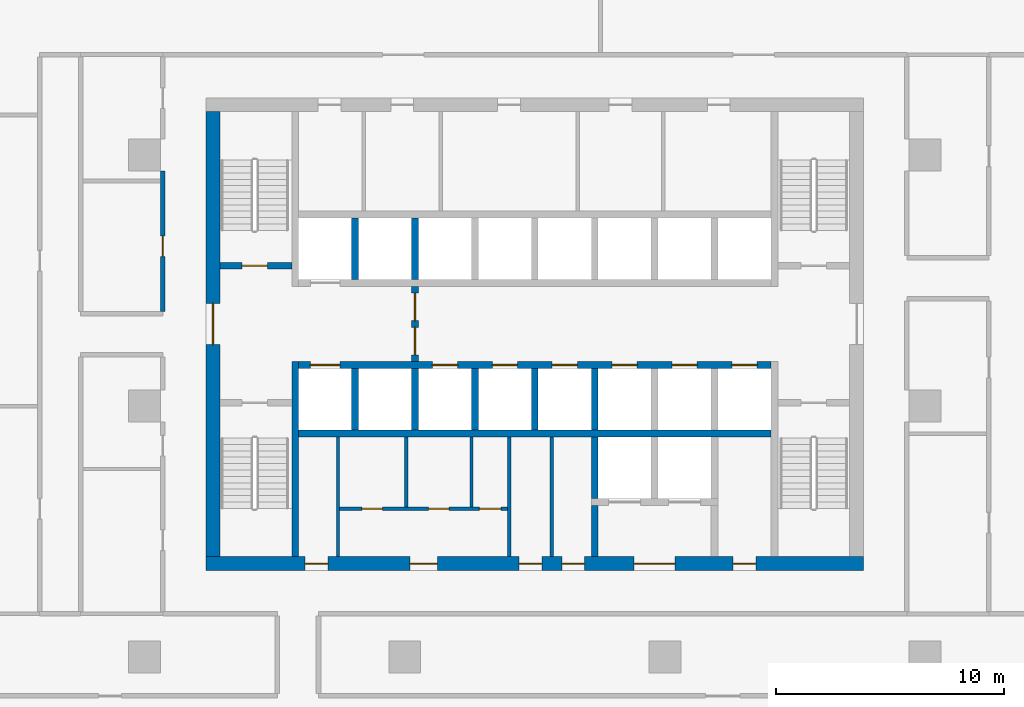
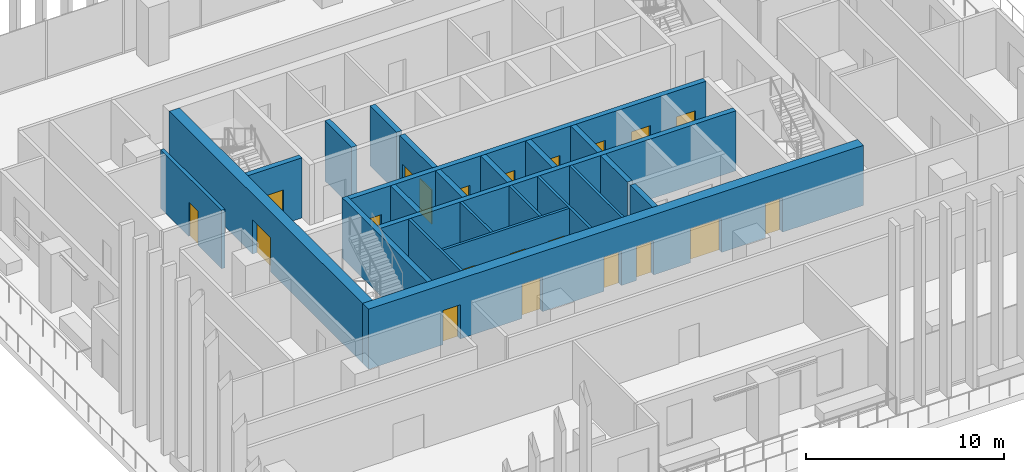
# One storey, part 8 of 16: 23 walls, 21 doors, 21 openings.
"""IFC4 building model written with IfcOpenShell, lengths in metres."""

from ifc_helpers import new_model, si_unit, direction, frame, frame_2d, origin, place, context, subcontext, project, spatial, rectangle, extrude, material, layer, layer_set, type_object, element, fill, save


model = new_model("IFC4")

# Units and contexts
model_context = context("Model", 3, precision=1e-05, world=origin(), true_north=direction((0.0, 1.0)))
body_context = subcontext(model_context, "Body", "Model", "MODEL_VIEW")
ifc_project = project(units=[si_unit("LENGTHUNIT", "METRE"), si_unit("AREAUNIT", "SQUARE_METRE"), si_unit("VOLUMEUNIT", "CUBIC_METRE"), si_unit("PLANEANGLEUNIT", "RADIAN"), si_unit("MASSUNIT", "GRAM", prefix="KILO")], contexts=[model_context])

# Site, building, storey
site_placement = place(None, origin())
site = spatial("IfcSite", under=ifc_project, at=site_placement, CompositionType="ELEMENT")
building_placement = place(site_placement, origin())
building = spatial("IfcBuilding", under=site, at=building_placement, Name="Mopane Tessera Tower", CompositionType="ELEMENT")
storey_placement = place(building_placement, frame((0.0, 0.0, 157.0)))
storey = spatial("IfcBuildingStorey", under=building, at=storey_placement, Name="L31", CompositionType="ELEMENT", Elevation=157.0)

# Wall
ifc_material_1 = material(Name="Fire-rated gypsum board partition")
ifc_layer_1 = layer(ifc_material_1, 0.14990234375)
ifc_layer_set_1 = layer_set([ifc_layer_1], Name="Fire-rated gypsum board partition")
wall_type_1 = type_object("IfcWallType", Name="Core room partition 150 mm", PredefinedType="PARTITIONING", material=ifc_layer_set_1)
wall_1_placement = place(storey_placement, frame((-8.625, -6.60009765625, 0.0), z_axis=(0.0, 0.0, 1.0), x_axis=(0.0, 1.0, 0.0)))
element("IfcWall", 1, at=wall_1_placement, inside=storey, type_object=wall_type_1, Name="L31 Room partition", PredefinedType="PARTITIONING", context=body_context, shape_type="SweptSolid", body=[
    extrude(rectangle(XDim=5.25, YDim=0.14990234375, at=frame_2d((2.625, 0.0))), origin(), (0.0, 0.0, 1.0), 3.699951171875),
])

# Wall, openings, doors
wall_2_placement = place(storey_placement, frame((-8.550048828125, -4.5, 0.0), z_axis=(0.0, 0.0, 1.0), x_axis=(1.0, 0.0, 0.0)))
wall_2 = element("IfcWall", 2, at=wall_2_placement, inside=storey, type_object=wall_type_1, Name="L31 WC partition", PredefinedType="PARTITIONING", context=body_context, shape_type="SweptSolid", body=[
    extrude(rectangle(XDim=7.35009765625, YDim=0.14990234375, at=frame_2d((3.675048828125, 0.0))), origin(), (0.0, 0.0, 1.0), 3.699951171875),
])
opening_1_placement = place(wall_2_placement, frame((0.97509765625, 0.0, 0.0)))
opening_1 = element("IfcOpeningElement", 3, at=opening_1_placement, cuts=wall_2, Name="Opening WD1", PredefinedType="OPENING", context=body_context, shape_type="SweptSolid", body=[
    extrude(rectangle(XDim=0.89990234375, YDim=2.10009765625, at=frame_2d((0.449951171875, 1.050048828125))), frame((0.0, 0.0869140625, 0.0), z_axis=(0.0, -1.0, 0.0), x_axis=(1.0, 0.0, 0.0)), (0.0, 0.0, 1.0), 0.173828125),
])
opening_2_placement = place(wall_2_placement, frame((3.89990234375, 0.0, 0.0)))
opening_2 = element("IfcOpeningElement", 4, at=opening_2_placement, cuts=wall_2, Name="Opening WD1", PredefinedType="OPENING", context=body_context, shape_type="SweptSolid", body=[
    extrude(rectangle(XDim=0.89990234375, YDim=2.10009765625, at=frame_2d((0.449951171875, 1.050048828125))), frame((0.0, 0.0869140625, 0.0), z_axis=(0.0, -1.0, 0.0), x_axis=(1.0, 0.0, 0.0)), (0.0, 0.0, 1.0), 0.173828125),
])
opening_3_placement = place(wall_2_placement, frame((6.125, 0.0, 0.0)))
opening_3 = element("IfcOpeningElement", 5, at=opening_3_placement, cuts=wall_2, Name="Opening WD2", PredefinedType="OPENING", context=body_context, shape_type="SweptSolid", body=[
    extrude(rectangle(XDim=0.949951171875, YDim=2.10009765625, at=frame_2d((0.47509765625, 1.050048828125))), frame((0.0, 0.0869140625, 0.0), z_axis=(0.0, -1.0, 0.0), x_axis=(1.0, 0.0, 0.0)), (0.0, 0.0, 1.0), 0.173828125),
])
ifc_material_2 = material(Name="Timber door", Category="wood")
door_type_1 = type_object("IfcDoorType", Name="Accessible WC door 950 x 2100", OperationType="SINGLE_SWING_LEFT", PredefinedType="DOOR", material=ifc_material_2)
door_1_placement = place(opening_3_placement, origin())
door_1 = element("IfcDoor", 6, at=door_1_placement, inside=storey, type_object=door_type_1, Name="L31 Accessible WC door", OperationType="SINGLE_SWING_LEFT", OverallHeight=2.10009765625, OverallWidth=0.949951171875, PredefinedType="DOOR", context=body_context, shape_type="SweptSolid", body=[
    extrude(rectangle(XDim=0.949951171875, YDim=2.10009765625, at=frame_2d((0.47509765625, 1.050048828125))), frame((0.0, 0.02490234375, 0.0), z_axis=(0.0, -1.0, 0.0), x_axis=(1.0, 0.0, 0.0)), (0.0, 0.0, 1.0), 0.050048828125),
])
fill(opening_3, door_1)
ifc_material_3 = material(Name="Timber door", Category="wood")
door_type_2 = type_object("IfcDoorType", Name="WC cubicle door 900 x 2100", OperationType="SINGLE_SWING_LEFT", PredefinedType="DOOR", material=ifc_material_3)
door_2_placement = place(opening_1_placement, origin())
door_2 = element("IfcDoor", 7, at=door_2_placement, inside=storey, type_object=door_type_2, Name="L31 Men's WC door", OperationType="SINGLE_SWING_LEFT", OverallHeight=2.10009765625, OverallWidth=0.89990234375, PredefinedType="DOOR", context=body_context, shape_type="SweptSolid", body=[
    extrude(rectangle(XDim=0.89990234375, YDim=2.10009765625, at=frame_2d((0.449951171875, 1.050048828125))), frame((0.0, 0.02490234375, 0.0), z_axis=(0.0, -1.0, 0.0), x_axis=(1.0, 0.0, 0.0)), (0.0, 0.0, 1.0), 0.050048828125),
])
fill(opening_1, door_2)
door_3_placement = place(opening_2_placement, origin())
door_3 = element("IfcDoor", 8, at=door_3_placement, inside=storey, type_object=door_type_2, Name="L31 Women's WC door", OperationType="SINGLE_SWING_LEFT", OverallHeight=2.10009765625, OverallWidth=0.89990234375, PredefinedType="DOOR", context=body_context, shape_type="SweptSolid", body=[
    extrude(rectangle(XDim=0.89990234375, YDim=2.10009765625, at=frame_2d((0.449951171875, 1.050048828125))), frame((0.0, 0.02490234375, 0.0), z_axis=(0.0, -1.0, 0.0), x_axis=(1.0, 0.0, 0.0)), (0.0, 0.0, 1.0), 0.050048828125),
])
fill(opening_2, door_3)

# Walls
for number, where, z_axis, x_axis, name in (
    (9, (-5.625, -4.425048828125, 0.0), (0.0, 0.0, 1.0), (0.0, 1.0, 0.0), "L31 WC partition"),
    (10, (-2.77490234375, -4.425048828125, 0.0), (0.0, 0.0, 1.0), (0.0, 1.0, 0.0), "L31 WC partition"),
):
    element("IfcWall", number, at=place(storey_placement, frame(where, z_axis=z_axis, x_axis=x_axis)), inside=storey, type_object=wall_type_1, Name=name, PredefinedType="PARTITIONING", context=body_context, shape_type="SweptSolid", body=[
        extrude(rectangle(XDim=3.074951171875, YDim=0.14990234375, at=frame_2d((1.53759765625, 0.0))), origin(), (0.0, 0.0, 1.0), 3.699951171875),
    ])
for number, where, z_axis, x_axis, name in (
    (11, (-1.125, -6.60009765625, 0.0), (0.0, 0.0, 1.0), (0.0, 1.0, 0.0), "L31 Room partition"),
    (12, (0.75, -6.60009765625, 0.0), (0.0, 0.0, 1.0), (0.0, 1.0, 0.0), "L31 Room partition"),
):
    element("IfcWall", number, at=place(storey_placement, frame(where, z_axis=z_axis, x_axis=x_axis)), inside=storey, type_object=wall_type_1, Name=name, PredefinedType="PARTITIONING", context=body_context, shape_type="SweptSolid", body=[
        extrude(rectangle(XDim=5.25, YDim=0.14990234375, at=frame_2d((2.625, 0.0))), origin(), (0.0, 0.0, 1.0), 3.699951171875),
    ])

# Wall, openings, doors
ifc_material_4 = material(Name="Concrete C70/85", Category="concrete")
ifc_layer_2 = layer(ifc_material_4, 0.60009765625)
ifc_layer_set_2 = layer_set([ifc_layer_2], Name="Concrete C70/85")
wall_type_2 = type_object("IfcWallType", Name="Core shear wall 600 mm", PredefinedType="SHEAR", material=ifc_layer_set_2)
wall_3_placement = place(storey_placement, frame((-14.39990234375, -6.89990234375, 0.0), z_axis=(0.0, 0.0, 1.0), x_axis=(1.0, 0.0, 0.0)))
wall_3 = element("IfcWall", 13, at=wall_3_placement, inside=storey, type_object=wall_type_2, Name="L31 Core wall south", PredefinedType="SHEAR", context=body_context, shape_type="SweptSolid", body=[
    extrude(rectangle(XDim=28.7998046875, YDim=0.60009765625, at=frame_2d((14.39990234375, 0.0))), origin(), (0.0, 0.0, 1.0), 3.699951171875),
])
opening_4_placement = place(wall_3_placement, frame((4.33740234375, 0.0, 0.0)))
opening_4 = element("IfcOpeningElement", 14, at=opening_4_placement, cuts=wall_3, Name="Opening RD1", PredefinedType="OPENING", context=body_context, shape_type="SweptSolid", body=[
    extrude(rectangle(XDim=1.0, YDim=2.10009765625, at=frame_2d((0.5, 1.050048828125))), frame((0.0, 0.31201171875, 0.0), z_axis=(0.0, -1.0, 0.0), x_axis=(1.0, 0.0, 0.0)), (0.0, 0.0, 1.0), 0.6240234375),
])
opening_5_placement = place(wall_3_placement, frame((8.925048828125, 0.0, 0.0)))
opening_5 = element("IfcOpeningElement", 15, at=opening_5_placement, cuts=wall_3, Name="Opening WD3", PredefinedType="OPENING", context=body_context, shape_type="SweptSolid", body=[
    extrude(rectangle(XDim=1.199951171875, YDim=2.10009765625, at=frame_2d((0.60009765625, 1.050048828125))), frame((0.0, 0.31201171875, 0.0), z_axis=(0.0, -1.0, 0.0), x_axis=(1.0, 0.0, 0.0)), (0.0, 0.0, 1.0), 0.6240234375),
])
opening_6_placement = place(wall_3_placement, frame((13.71240234375, 0.0, 0.0)))
opening_6 = element("IfcOpeningElement", 16, at=opening_6_placement, cuts=wall_3, Name="Opening RD1", PredefinedType="OPENING", context=body_context, shape_type="SweptSolid", body=[
    extrude(rectangle(XDim=1.0, YDim=2.10009765625, at=frame_2d((0.5, 1.050048828125))), frame((0.0, 0.31201171875, 0.0), z_axis=(0.0, -1.0, 0.0), x_axis=(1.0, 0.0, 0.0)), (0.0, 0.0, 1.0), 0.6240234375),
])
opening_7_placement = place(wall_3_placement, frame((15.58740234375, 0.0, 0.0)))
opening_7 = element("IfcOpeningElement", 17, at=opening_7_placement, cuts=wall_3, Name="Opening RD1", PredefinedType="OPENING", context=body_context, shape_type="SweptSolid", body=[
    extrude(rectangle(XDim=1.0, YDim=2.10009765625, at=frame_2d((0.5, 1.050048828125))), frame((0.0, 0.31201171875, 0.0), z_axis=(0.0, -1.0, 0.0), x_axis=(1.0, 0.0, 0.0)), (0.0, 0.0, 1.0), 0.6240234375),
])
opening_8_placement = place(wall_3_placement, frame((18.75, 0.0, 0.0)))
opening_8 = element("IfcOpeningElement", 18, at=opening_8_placement, cuts=wall_3, Name="Opening SD2", PredefinedType="OPENING", context=body_context, shape_type="SweptSolid", body=[
    extrude(rectangle(XDim=1.800048828125, YDim=2.10009765625, at=frame_2d((0.89990234375, 1.050048828125))), frame((0.0, 0.31201171875, 0.0), z_axis=(0.0, -1.0, 0.0), x_axis=(1.0, 0.0, 0.0)), (0.0, 0.0, 1.0), 0.6240234375),
])
opening_9_placement = place(wall_3_placement, frame((23.08740234375, 0.0, 0.0)))
opening_9 = element("IfcOpeningElement", 19, at=opening_9_placement, cuts=wall_3, Name="Opening RD1", PredefinedType="OPENING", context=body_context, shape_type="SweptSolid", body=[
    extrude(rectangle(XDim=1.0, YDim=2.10009765625, at=frame_2d((0.5, 1.050048828125))), frame((0.0, 0.31201171875, 0.0), z_axis=(0.0, -1.0, 0.0), x_axis=(1.0, 0.0, 0.0)), (0.0, 0.0, 1.0), 0.6240234375),
])
ifc_material_5 = material(Name="Steel fire door", Category="steel")
door_type_3 = type_object("IfcDoorType", Name="Core entrance double door 1800 x 2100", OperationType="DOUBLE_DOOR_SINGLE_SWING", PredefinedType="DOOR", material=ifc_material_5)
door_4_placement = place(opening_8_placement, origin())
door_4 = element("IfcDoor", 20, at=door_4_placement, inside=storey, type_object=door_type_3, Name="L31 Service lobby door", OperationType="DOUBLE_DOOR_SINGLE_SWING", OverallHeight=2.10009765625, OverallWidth=1.800048828125, PredefinedType="DOOR", context=body_context, shape_type="SweptSolid", body=[
    extrude(rectangle(XDim=1.800048828125, YDim=2.10009765625, at=frame_2d((0.89990234375, 1.050048828125))), frame((0.0, 0.02490234375, 0.0), z_axis=(0.0, -1.0, 0.0), x_axis=(1.0, 0.0, 0.0)), (0.0, 0.0, 1.0), 0.050048828125),
])
fill(opening_8, door_4)
ifc_material_6 = material(Name="Timber door", Category="wood")
door_type_4 = type_object("IfcDoorType", Name="Core room door 1000 x 2100", OperationType="SINGLE_SWING_LEFT", PredefinedType="DOOR", material=ifc_material_6)
door_5_placement = place(opening_4_placement, origin())
door_5 = element("IfcDoor", 21, at=door_5_placement, inside=storey, type_object=door_type_4, Name="L31 Room door", OperationType="SINGLE_SWING_LEFT", OverallHeight=2.10009765625, OverallWidth=1.0, PredefinedType="DOOR", context=body_context, shape_type="SweptSolid", body=[
    extrude(rectangle(XDim=1.0, YDim=2.10009765625, at=frame_2d((0.5, 1.050048828125))), frame((0.0, 0.02490234375, 0.0), z_axis=(0.0, -1.0, 0.0), x_axis=(1.0, 0.0, 0.0)), (0.0, 0.0, 1.0), 0.050048828125),
])
fill(opening_4, door_5)
door_6_placement = place(opening_6_placement, origin())
door_6 = element("IfcDoor", 22, at=door_6_placement, inside=storey, type_object=door_type_4, Name="L31 Room door", OperationType="SINGLE_SWING_LEFT", OverallHeight=2.10009765625, OverallWidth=1.0, PredefinedType="DOOR", context=body_context, shape_type="SweptSolid", body=[
    extrude(rectangle(XDim=1.0, YDim=2.10009765625, at=frame_2d((0.5, 1.050048828125))), frame((0.0, 0.02490234375, 0.0), z_axis=(0.0, -1.0, 0.0), x_axis=(1.0, 0.0, 0.0)), (0.0, 0.0, 1.0), 0.050048828125),
])
fill(opening_6, door_6)
door_7_placement = place(opening_7_placement, origin())
door_7 = element("IfcDoor", 23, at=door_7_placement, inside=storey, type_object=door_type_4, Name="L31 Room door", OperationType="SINGLE_SWING_LEFT", OverallHeight=2.10009765625, OverallWidth=1.0, PredefinedType="DOOR", context=body_context, shape_type="SweptSolid", body=[
    extrude(rectangle(XDim=1.0, YDim=2.10009765625, at=frame_2d((0.5, 1.050048828125))), frame((0.0, 0.02490234375, 0.0), z_axis=(0.0, -1.0, 0.0), x_axis=(1.0, 0.0, 0.0)), (0.0, 0.0, 1.0), 0.050048828125),
])
fill(opening_7, door_7)
door_8_placement = place(opening_9_placement, origin())
door_8 = element("IfcDoor", 24, at=door_8_placement, inside=storey, type_object=door_type_4, Name="L31 Room door", OperationType="SINGLE_SWING_LEFT", OverallHeight=2.10009765625, OverallWidth=1.0, PredefinedType="DOOR", context=body_context, shape_type="SweptSolid", body=[
    extrude(rectangle(XDim=1.0, YDim=2.10009765625, at=frame_2d((0.5, 1.050048828125))), frame((0.0, 0.02490234375, 0.0), z_axis=(0.0, -1.0, 0.0), x_axis=(1.0, 0.0, 0.0)), (0.0, 0.0, 1.0), 0.050048828125),
])
fill(opening_9, door_8)
ifc_material_7 = material(Name="Timber door", Category="wood")
door_type_5 = type_object("IfcDoorType", Name="WC lobby door 1200 x 2100", OperationType="SINGLE_SWING_LEFT", PredefinedType="DOOR", material=ifc_material_7)
door_9_placement = place(opening_5_placement, origin())
door_9 = element("IfcDoor", 25, at=door_9_placement, inside=storey, type_object=door_type_5, Name="L31 WC lobby door", OperationType="SINGLE_SWING_LEFT", OverallHeight=2.10009765625, OverallWidth=1.199951171875, PredefinedType="DOOR", context=body_context, shape_type="SweptSolid", body=[
    extrude(rectangle(XDim=1.199951171875, YDim=2.10009765625, at=frame_2d((0.60009765625, 1.050048828125))), frame((0.0, 0.02490234375, 0.0), z_axis=(0.0, -1.0, 0.0), x_axis=(1.0, 0.0, 0.0)), (0.0, 0.0, 1.0), 0.050048828125),
])
fill(opening_5, door_9)

# Wall, opening, door
wall_4_placement = place(storey_placement, frame((-14.10009765625, -6.60009765625, 0.0), z_axis=(0.0, 0.0, 1.0), x_axis=(0.0, 1.0, 0.0)))
wall_4 = element("IfcWall", 26, at=wall_4_placement, inside=storey, type_object=wall_type_2, Name="L31 Core wall west", PredefinedType="SHEAR", context=body_context, shape_type="SweptSolid", body=[
    extrude(rectangle(XDim=19.5, YDim=0.60009765625, at=frame_2d((9.75, 0.0))), origin(), (0.0, 0.0, 1.0), 3.699951171875),
])
opening_10_placement = place(wall_4_placement, frame((9.300048828125, 0.0, 0.0)))
opening_10 = element("IfcOpeningElement", 27, at=opening_10_placement, cuts=wall_4, Name="Opening SD2", PredefinedType="OPENING", context=body_context, shape_type="SweptSolid", body=[
    extrude(rectangle(XDim=1.800048828125, YDim=2.10009765625, at=frame_2d((0.89990234375, 1.050048828125))), frame((0.0, 0.31201171875, 0.0), z_axis=(0.0, -1.0, 0.0), x_axis=(1.0, 0.0, 0.0)), (0.0, 0.0, 1.0), 0.6240234375),
])
door_10_placement = place(opening_10_placement, origin())
door_10 = element("IfcDoor", 28, at=door_10_placement, inside=storey, type_object=door_type_3, Name="L31 Core entrance door west", OperationType="DOUBLE_DOOR_SINGLE_SWING", OverallHeight=2.10009765625, OverallWidth=1.800048828125, PredefinedType="DOOR", context=body_context, shape_type="SweptSolid", body=[
    extrude(rectangle(XDim=1.800048828125, YDim=2.10009765625, at=frame_2d((0.89990234375, 1.050048828125))), frame((0.0, 0.02490234375, 0.0), z_axis=(0.0, -1.0, 0.0), x_axis=(1.0, 0.0, 0.0)), (0.0, 0.0, 1.0), 0.050048828125),
])
fill(opening_10, door_10)

# Wall
ifc_material_8 = material(Name="Concrete C60/75", Category="concrete")
ifc_layer_3 = layer(ifc_material_8, 0.300048828125)
ifc_layer_set_3 = layer_set([ifc_layer_3], Name="Concrete C60/75")
wall_type_3 = type_object("IfcWallType", Name="Core spine wall 300 mm", PredefinedType="SHEAR", material=ifc_layer_set_3)
wall_5_placement = place(storey_placement, frame((-10.5, -6.60009765625, 0.0), z_axis=(0.0, 0.0, 1.0), x_axis=(0.0, 1.0, 0.0)))
element("IfcWall", 29, at=wall_5_placement, inside=storey, type_object=wall_type_3, Name="L31 Core spine wall", PredefinedType="SHEAR", context=body_context, shape_type="SweptSolid", body=[
    extrude(rectangle(XDim=8.550048828125, YDim=0.300048828125, at=frame_2d((4.27490234375, 0.0))), origin(), (0.0, 0.0, 1.0), 3.699951171875),
])

# Wall, opening, door
ifc_material_9 = material(Name="Gypsum board on steel studs, two layers each face, mineral wool infill", Category="steel")
ifc_layer_4 = layer(ifc_material_9, 0.199951171875)
ifc_layer_set_4 = layer_set([ifc_layer_4], Name="Gypsum board on steel studs, two layers each face, mineral wool infill")
wall_type_4 = type_object("IfcWallType", Name="Gypsum board corridor wall 200, rated EI 60", PredefinedType="PARTITIONING", material=ifc_layer_set_4)
wall_6_placement = place(storey_placement, frame((-16.300048828125, 4.14990234375, 0.0), z_axis=(0.0, 0.0, 1.0), x_axis=(0.0, 1.0, 0.0)))
wall_6 = element("IfcWall", 30, at=wall_6_placement, inside=storey, type_object=wall_type_4, Name="Partition L31:032", PredefinedType="PARTITIONING", context=body_context, shape_type="SweptSolid", body=[
    extrude(rectangle(XDim=6.150146484375, YDim=0.199951171875, at=frame_2d((3.0751953125, 0.0))), origin(), (0.0, 0.0, 1.0), 3.60009765625),
])
opening_11_placement = place(wall_6_placement, frame((2.402587890625, 0.0, 0.0)))
opening_11 = element("IfcOpeningElement", 31, at=opening_11_placement, cuts=wall_6, Name="Opening L31-04", PredefinedType="OPENING", context=body_context, shape_type="SweptSolid", body=[
    extrude(rectangle(XDim=0.89990234375, YDim=2.10009765625, at=frame_2d((0.449951171875, 1.050048828125))), frame((0.0, 0.112060546875, 0.0), z_axis=(0.0, -1.0, 0.0), x_axis=(1.0, 0.0, 0.0)), (0.0, 0.0, 1.0), 0.223876953125),
])
ifc_material_10 = material(Name="Timber veneered steel-framed fire door", Category="steel")
door_type_6 = type_object("IfcDoorType", Name="Fire door FD60 900 x 2100", OperationType="SINGLE_SWING_LEFT", PredefinedType="DOOR", material=ifc_material_10)
door_11_placement = place(opening_11_placement, origin())
door_11 = element("IfcDoor", 32, at=door_11_placement, inside=storey, type_object=door_type_6, Name="Door L31-04", ObjectType="D10A", OperationType="SINGLE_SWING_LEFT", OverallHeight=2.10009765625, OverallWidth=0.89990234375, PredefinedType="DOOR", context=body_context, shape_type="SweptSolid", body=[
    extrude(rectangle(XDim=0.89990234375, YDim=2.10009765625, at=frame_2d((0.449951171875, 1.050048828125))), frame((0.0, 0.02490234375, 0.0), z_axis=(0.0, -1.0, 0.0), x_axis=(1.0, 0.0, 0.0)), (0.0, 0.0, 1.0), 0.050048828125),
])
fill(opening_11, door_11)

ifc_material_11 = material(Name="Concrete C50/60", Category="concrete")
ifc_layer_5 = layer(ifc_material_11, 0.300048828125)
ifc_layer_set_5 = layer_set([ifc_layer_5], Name="Concrete C50/60")
wall_type_5 = type_object("IfcWallType", Name="Lift and stair shaft wall 300 mm", PredefinedType="SOLIDWALL", material=ifc_layer_set_5)
wall_7_placement = place(storey_placement, frame((-13.800048828125, 6.14990234375, 0.0), z_axis=(0.0, 0.0, 1.0), x_axis=(1.0, 0.0, 0.0)))
wall_7 = element("IfcWall", 33, at=wall_7_placement, inside=storey, type_object=wall_type_5, Name="L31 Stair enclosure wall", PredefinedType="SOLIDWALL", context=body_context, shape_type="SweptSolid", body=[
    extrude(rectangle(XDim=3.150146484375, YDim=0.300048828125, at=frame_2d((1.5751953125, 0.0))), origin(), (0.0, 0.0, 1.0), 3.699951171875),
])
opening_12_placement = place(wall_7_placement, frame((0.97509765625, 0.0, 0.0)))
opening_12 = element("IfcOpeningElement", 34, at=opening_12_placement, cuts=wall_7, Name="Opening SD1", PredefinedType="OPENING", context=body_context, shape_type="SweptSolid", body=[
    extrude(rectangle(XDim=1.10009765625, YDim=2.10009765625, at=frame_2d((0.550048828125, 1.050048828125))), frame((0.0, 0.162109375, 0.0), z_axis=(0.0, -1.0, 0.0), x_axis=(1.0, 0.0, 0.0)), (0.0, 0.0, 1.0), 0.323974609375),
])
ifc_material_12 = material(Name="Steel fire door", Category="steel")
door_type_7 = type_object("IfcDoorType", Name="Stair fire door 1100 x 2100", OperationType="SINGLE_SWING_LEFT", PredefinedType="DOOR", material=ifc_material_12)
door_12_placement = place(opening_12_placement, origin())
door_12 = element("IfcDoor", 35, at=door_12_placement, inside=storey, type_object=door_type_7, Name="L31 Stair door ST2", OperationType="SINGLE_SWING_LEFT", OverallHeight=2.10009765625, OverallWidth=1.10009765625, PredefinedType="DOOR", context=body_context, shape_type="SweptSolid", body=[
    extrude(rectangle(XDim=1.10009765625, YDim=2.10009765625, at=frame_2d((0.550048828125, 1.050048828125))), frame((0.0, 0.02490234375, 0.0), z_axis=(0.0, -1.0, 0.0), x_axis=(1.0, 0.0, 0.0)), (0.0, 0.0, 1.0), 0.050048828125),
])
fill(opening_12, door_12)

# Wall
wall_8_placement = place(storey_placement, frame((-10.35009765625, -1.199951171875, 0.0), z_axis=(0.0, 0.0, 1.0), x_axis=(1.0, 0.0, 0.0)))
element("IfcWall", 36, at=wall_8_placement, inside=storey, type_object=wall_type_5, Name="L31 Lift shaft rear wall", PredefinedType="SOLIDWALL", context=body_context, shape_type="SweptSolid", body=[
    extrude(rectangle(XDim=20.7001953125, YDim=0.300048828125, at=frame_2d((10.35009765625, 0.0))), origin(), (0.0, 0.0, 1.0), 3.699951171875),
])

# Wall, openings, doors
wall_9_placement = place(storey_placement, frame((-10.35009765625, 1.800048828125, 0.0), z_axis=(0.0, 0.0, 1.0), x_axis=(1.0, 0.0, 0.0)))
wall_9 = element("IfcWall", 37, at=wall_9_placement, inside=storey, type_object=wall_type_5, Name="L31 Lift shaft front wall", PredefinedType="SOLIDWALL", context=body_context, shape_type="SweptSolid", body=[
    extrude(rectangle(XDim=20.7001953125, YDim=0.300048828125, at=frame_2d((10.35009765625, 0.0))), origin(), (0.0, 0.0, 1.0), 3.699951171875),
])
opening_13_placement = place(wall_9_placement, frame((0.512451171875, 0.0, 0.0)))
opening_13 = element("IfcOpeningElement", 38, at=opening_13_placement, cuts=wall_9, Name="Opening LD2", PredefinedType="OPENING", context=body_context, shape_type="SweptSolid", body=[
    extrude(rectangle(XDim=1.300048828125, YDim=2.10009765625, at=frame_2d((0.64990234375, 1.050048828125))), frame((0.0, 0.162109375, 0.0), z_axis=(0.0, -1.0, 0.0), x_axis=(1.0, 0.0, 0.0)), (0.0, 0.0, 1.0), 0.323974609375),
])
opening_14_placement = place(wall_9_placement, frame((5.862548828125, 0.0, 0.0)))
opening_14 = element("IfcOpeningElement", 39, at=opening_14_placement, cuts=wall_9, Name="Opening LD", PredefinedType="OPENING", context=body_context, shape_type="SweptSolid", body=[
    extrude(rectangle(XDim=1.10009765625, YDim=2.10009765625, at=frame_2d((0.550048828125, 1.050048828125))), frame((0.0, 0.162109375, 0.0), z_axis=(0.0, -1.0, 0.0), x_axis=(1.0, 0.0, 0.0)), (0.0, 0.0, 1.0), 0.323974609375),
])
opening_15_placement = place(wall_9_placement, frame((8.487548828125, 0.0, 0.0)))
opening_15 = element("IfcOpeningElement", 40, at=opening_15_placement, cuts=wall_9, Name="Opening LD", PredefinedType="OPENING", context=body_context, shape_type="SweptSolid", body=[
    extrude(rectangle(XDim=1.10009765625, YDim=2.10009765625, at=frame_2d((0.550048828125, 1.050048828125))), frame((0.0, 0.162109375, 0.0), z_axis=(0.0, -1.0, 0.0), x_axis=(1.0, 0.0, 0.0)), (0.0, 0.0, 1.0), 0.323974609375),
])
opening_16_placement = place(wall_9_placement, frame((11.112548828125, 0.0, 0.0)))
opening_16 = element("IfcOpeningElement", 41, at=opening_16_placement, cuts=wall_9, Name="Opening LD", PredefinedType="OPENING", context=body_context, shape_type="SweptSolid", body=[
    extrude(rectangle(XDim=1.10009765625, YDim=2.10009765625, at=frame_2d((0.550048828125, 1.050048828125))), frame((0.0, 0.162109375, 0.0), z_axis=(0.0, -1.0, 0.0), x_axis=(1.0, 0.0, 0.0)), (0.0, 0.0, 1.0), 0.323974609375),
])
opening_17_placement = place(wall_9_placement, frame((13.737548828125, 0.0, 0.0)))
opening_17 = element("IfcOpeningElement", 42, at=opening_17_placement, cuts=wall_9, Name="Opening LD", PredefinedType="OPENING", context=body_context, shape_type="SweptSolid", body=[
    extrude(rectangle(XDim=1.10009765625, YDim=2.10009765625, at=frame_2d((0.550048828125, 1.050048828125))), frame((0.0, 0.162109375, 0.0), z_axis=(0.0, -1.0, 0.0), x_axis=(1.0, 0.0, 0.0)), (0.0, 0.0, 1.0), 0.323974609375),
])
opening_18_placement = place(wall_9_placement, frame((16.362548828125, 0.0, 0.0)))
opening_18 = element("IfcOpeningElement", 43, at=opening_18_placement, cuts=wall_9, Name="Opening LD", PredefinedType="OPENING", context=body_context, shape_type="SweptSolid", body=[
    extrude(rectangle(XDim=1.10009765625, YDim=2.10009765625, at=frame_2d((0.550048828125, 1.050048828125))), frame((0.0, 0.162109375, 0.0), z_axis=(0.0, -1.0, 0.0), x_axis=(1.0, 0.0, 0.0)), (0.0, 0.0, 1.0), 0.323974609375),
])
opening_19_placement = place(wall_9_placement, frame((18.987548828125, 0.0, 0.0)))
opening_19 = element("IfcOpeningElement", 44, at=opening_19_placement, cuts=wall_9, Name="Opening LD", PredefinedType="OPENING", context=body_context, shape_type="SweptSolid", body=[
    extrude(rectangle(XDim=1.10009765625, YDim=2.10009765625, at=frame_2d((0.550048828125, 1.050048828125))), frame((0.0, 0.162109375, 0.0), z_axis=(0.0, -1.0, 0.0), x_axis=(1.0, 0.0, 0.0)), (0.0, 0.0, 1.0), 0.323974609375),
])
ifc_material_13 = material(Name="Stainless steel sliding door", Category="steel")
door_type_8 = type_object("IfcDoorType", Name="Fire-fighting lift landing door 1300 x 2100", OperationType="DOUBLE_DOOR_SLIDING", PredefinedType="DOOR", material=ifc_material_13)
door_13_placement = place(opening_13_placement, origin())
door_13 = element("IfcDoor", 45, at=door_13_placement, inside=storey, type_object=door_type_8, Name="L31 Lift landing door FF1", OperationType="DOUBLE_DOOR_SLIDING", OverallHeight=2.10009765625, OverallWidth=1.300048828125, PredefinedType="DOOR", context=body_context, shape_type="SweptSolid", body=[
    extrude(rectangle(XDim=1.300048828125, YDim=2.10009765625, at=frame_2d((0.64990234375, 1.050048828125))), frame((0.0, 0.02490234375, 0.0), z_axis=(0.0, -1.0, 0.0), x_axis=(1.0, 0.0, 0.0)), (0.0, 0.0, 1.0), 0.050048828125),
])
fill(opening_13, door_13)
ifc_material_14 = material(Name="Stainless steel sliding door", Category="steel")
door_type_9 = type_object("IfcDoorType", Name="Lift landing door 1100 x 2100", OperationType="DOUBLE_DOOR_SLIDING", PredefinedType="DOOR", material=ifc_material_14)
door_14_placement = place(opening_14_placement, origin())
door_14 = element("IfcDoor", 46, at=door_14_placement, inside=storey, type_object=door_type_9, Name="L31 Lift landing door LR1", OperationType="DOUBLE_DOOR_SLIDING", OverallHeight=2.10009765625, OverallWidth=1.10009765625, PredefinedType="DOOR", context=body_context, shape_type="SweptSolid", body=[
    extrude(rectangle(XDim=1.10009765625, YDim=2.10009765625, at=frame_2d((0.550048828125, 1.050048828125))), frame((0.0, 0.02490234375, 0.0), z_axis=(0.0, -1.0, 0.0), x_axis=(1.0, 0.0, 0.0)), (0.0, 0.0, 1.0), 0.050048828125),
])
fill(opening_14, door_14)
door_15_placement = place(opening_15_placement, origin())
door_15 = element("IfcDoor", 47, at=door_15_placement, inside=storey, type_object=door_type_9, Name="L31 Lift landing door LR2", OperationType="DOUBLE_DOOR_SLIDING", OverallHeight=2.10009765625, OverallWidth=1.10009765625, PredefinedType="DOOR", context=body_context, shape_type="SweptSolid", body=[
    extrude(rectangle(XDim=1.10009765625, YDim=2.10009765625, at=frame_2d((0.550048828125, 1.050048828125))), frame((0.0, 0.02490234375, 0.0), z_axis=(0.0, -1.0, 0.0), x_axis=(1.0, 0.0, 0.0)), (0.0, 0.0, 1.0), 0.050048828125),
])
fill(opening_15, door_15)
door_16_placement = place(opening_16_placement, origin())
door_16 = element("IfcDoor", 48, at=door_16_placement, inside=storey, type_object=door_type_9, Name="L31 Lift landing door LR3", OperationType="DOUBLE_DOOR_SLIDING", OverallHeight=2.10009765625, OverallWidth=1.10009765625, PredefinedType="DOOR", context=body_context, shape_type="SweptSolid", body=[
    extrude(rectangle(XDim=1.10009765625, YDim=2.10009765625, at=frame_2d((0.550048828125, 1.050048828125))), frame((0.0, 0.02490234375, 0.0), z_axis=(0.0, -1.0, 0.0), x_axis=(1.0, 0.0, 0.0)), (0.0, 0.0, 1.0), 0.050048828125),
])
fill(opening_16, door_16)
door_17_placement = place(opening_17_placement, origin())
door_17 = element("IfcDoor", 49, at=door_17_placement, inside=storey, type_object=door_type_9, Name="L31 Lift landing door LR4", OperationType="DOUBLE_DOOR_SLIDING", OverallHeight=2.10009765625, OverallWidth=1.10009765625, PredefinedType="DOOR", context=body_context, shape_type="SweptSolid", body=[
    extrude(rectangle(XDim=1.10009765625, YDim=2.10009765625, at=frame_2d((0.550048828125, 1.050048828125))), frame((0.0, 0.02490234375, 0.0), z_axis=(0.0, -1.0, 0.0), x_axis=(1.0, 0.0, 0.0)), (0.0, 0.0, 1.0), 0.050048828125),
])
fill(opening_17, door_17)
door_18_placement = place(opening_18_placement, origin())
door_18 = element("IfcDoor", 50, at=door_18_placement, inside=storey, type_object=door_type_9, Name="L31 Lift landing door LR5", OperationType="DOUBLE_DOOR_SLIDING", OverallHeight=2.10009765625, OverallWidth=1.10009765625, PredefinedType="DOOR", context=body_context, shape_type="SweptSolid", body=[
    extrude(rectangle(XDim=1.10009765625, YDim=2.10009765625, at=frame_2d((0.550048828125, 1.050048828125))), frame((0.0, 0.02490234375, 0.0), z_axis=(0.0, -1.0, 0.0), x_axis=(1.0, 0.0, 0.0)), (0.0, 0.0, 1.0), 0.050048828125),
])
fill(opening_18, door_18)
door_19_placement = place(opening_19_placement, origin())
door_19 = element("IfcDoor", 51, at=door_19_placement, inside=storey, type_object=door_type_9, Name="L31 Lift landing door LR6", OperationType="DOUBLE_DOOR_SLIDING", OverallHeight=2.10009765625, OverallWidth=1.10009765625, PredefinedType="DOOR", context=body_context, shape_type="SweptSolid", body=[
    extrude(rectangle(XDim=1.10009765625, YDim=2.10009765625, at=frame_2d((0.550048828125, 1.050048828125))), frame((0.0, 0.02490234375, 0.0), z_axis=(0.0, -1.0, 0.0), x_axis=(1.0, 0.0, 0.0)), (0.0, 0.0, 1.0), 0.050048828125),
])
fill(opening_19, door_19)

# Walls
for number, where, z_axis, x_axis, name in (
    (52, (-7.875, -1.050048828125, 0.0), (0.0, 0.0, 1.0), (0.0, 1.0, 0.0), "L31 Lift shaft wall"),
    (53, (-5.25, -1.050048828125, 0.0), (0.0, 0.0, 1.0), (0.0, 1.0, 0.0), "L31 Lift shaft wall"),
    (54, (-2.625, -1.050048828125, 0.0), (0.0, 0.0, 1.0), (0.0, 1.0, 0.0), "L31 Lift shaft wall"),
    (55, (0.0, -1.050048828125, 0.0), (0.0, 0.0, 1.0), (0.0, 1.0, 0.0), "L31 Lift shaft wall"),
    (56, (2.625, -1.050048828125, 0.0), (0.0, 0.0, 1.0), (0.0, 1.0, 0.0), "L31 Lift shaft wall"),
    (57, (-7.875, 5.550048828125, 0.0), (0.0, 0.0, 1.0), (0.0, 1.0, 0.0), "L31 Lift shaft wall"),
    (58, (-5.25, 5.550048828125, 0.0), (0.0, 0.0, 1.0), (0.0, 1.0, 0.0), "L31 Lift shaft wall"),
    (59, (2.625, -4.050048828125, 0.0), (0.0, 0.0, 1.0), (0.0, 1.0, 0.0), "L31 Lift shaft wall"),
):
    element("IfcWall", number, at=place(storey_placement, frame(where, z_axis=z_axis, x_axis=x_axis)), inside=storey, type_object=wall_type_5, Name=name, PredefinedType="SOLIDWALL", context=body_context, shape_type="SweptSolid", body=[
        extrude(rectangle(XDim=2.699951171875, YDim=0.300048828125, at=frame_2d((1.35009765625, 0.0))), origin(), (0.0, 0.0, 1.0), 3.699951171875),
    ])

# Wall, openings, doors
ifc_material_15 = material(Name="Concrete C50/60", Category="concrete")
ifc_layer_6 = layer(ifc_material_15, 0.300048828125)
ifc_layer_set_6 = layer_set([ifc_layer_6], Name="Concrete C50/60")
wall_type_6 = type_object("IfcWallType", Name="Lobby and refuge room wall 300 mm", PredefinedType="SOLIDWALL", material=ifc_layer_set_6)
wall_10_placement = place(storey_placement, frame((-5.25, 1.949951171875, 0.0), z_axis=(0.0, 0.0, 1.0), x_axis=(0.0, 1.0, 0.0)))
wall_10 = element("IfcWall", 60, at=wall_10_placement, inside=storey, type_object=wall_type_6, Name="L31 Fire-fighting lobby wall", PredefinedType="SOLIDWALL", context=body_context, shape_type="SweptSolid", body=[
    extrude(rectangle(XDim=3.300048828125, YDim=0.300048828125, at=frame_2d((1.64990234375, 0.0))), origin(), (0.0, 0.0, 1.0), 3.699951171875),
])
opening_20_placement = place(wall_10_placement, frame((0.300048828125, 0.0, 0.0)))
opening_20 = element("IfcOpeningElement", 61, at=opening_20_placement, cuts=wall_10, Name="Opening SD3", PredefinedType="OPENING", context=body_context, shape_type="SweptSolid", body=[
    extrude(rectangle(XDim=1.199951171875, YDim=2.10009765625, at=frame_2d((0.60009765625, 1.050048828125))), frame((0.0, 0.162109375, 0.0), z_axis=(0.0, -1.0, 0.0), x_axis=(1.0, 0.0, 0.0)), (0.0, 0.0, 1.0), 0.323974609375),
])
opening_21_placement = place(wall_10_placement, frame((1.800048828125, 0.0, 0.0)))
opening_21 = element("IfcOpeningElement", 62, at=opening_21_placement, cuts=wall_10, Name="Opening SD3", PredefinedType="OPENING", context=body_context, shape_type="SweptSolid", body=[
    extrude(rectangle(XDim=1.199951171875, YDim=2.10009765625, at=frame_2d((0.60009765625, 1.050048828125))), frame((0.0, 0.162109375, 0.0), z_axis=(0.0, -1.0, 0.0), x_axis=(1.0, 0.0, 0.0)), (0.0, 0.0, 1.0), 0.323974609375),
])
ifc_material_16 = material(Name="Steel fire door", Category="steel")
door_type_10 = type_object("IfcDoorType", Name="Lobby fire door 1200 x 2100", OperationType="SINGLE_SWING_LEFT", PredefinedType="DOOR", material=ifc_material_16)
door_20_placement = place(opening_20_placement, origin())
door_20 = element("IfcDoor", 63, at=door_20_placement, inside=storey, type_object=door_type_10, Name="L31 Fire-fighting lobby door", OperationType="SINGLE_SWING_LEFT", OverallHeight=2.10009765625, OverallWidth=1.199951171875, PredefinedType="DOOR", context=body_context, shape_type="SweptSolid", body=[
    extrude(rectangle(XDim=1.199951171875, YDim=2.10009765625, at=frame_2d((0.60009765625, 1.050048828125))), frame((0.0, 0.02490234375, 0.0), z_axis=(0.0, -1.0, 0.0), x_axis=(1.0, 0.0, 0.0)), (0.0, 0.0, 1.0), 0.050048828125),
])
fill(opening_20, door_20)
door_21_placement = place(opening_21_placement, origin())
door_21 = element("IfcDoor", 64, at=door_21_placement, inside=storey, type_object=door_type_10, Name="L31 Fire-fighting lobby door", OperationType="SINGLE_SWING_RIGHT", OverallHeight=2.10009765625, OverallWidth=1.199951171875, PredefinedType="DOOR", context=body_context, shape_type="SweptSolid", body=[
    extrude(rectangle(XDim=1.199951171875, YDim=2.10009765625, at=frame_2d((0.60009765625, 1.050048828125))), frame((0.0, 0.02490234375, 0.0), z_axis=(0.0, -1.0, 0.0), x_axis=(1.0, 0.0, 0.0)), (0.0, 0.0, 1.0), 0.050048828125),
])
fill(opening_21, door_21)

# Wall
wall_11_placement = place(storey_placement, frame((2.625, -6.60009765625, 0.0), z_axis=(0.0, 0.0, 1.0), x_axis=(0.0, 1.0, 0.0)))
element("IfcWall", 65, at=wall_11_placement, inside=storey, type_object=wall_type_6, Name="L31 Service lobby wall", PredefinedType="SOLIDWALL", context=body_context, shape_type="SweptSolid", body=[
    extrude(rectangle(XDim=2.25, YDim=0.300048828125, at=frame_2d((1.125, 0.0))), origin(), (0.0, 0.0, 1.0), 3.699951171875),
])

save(model, "model.ifc")
